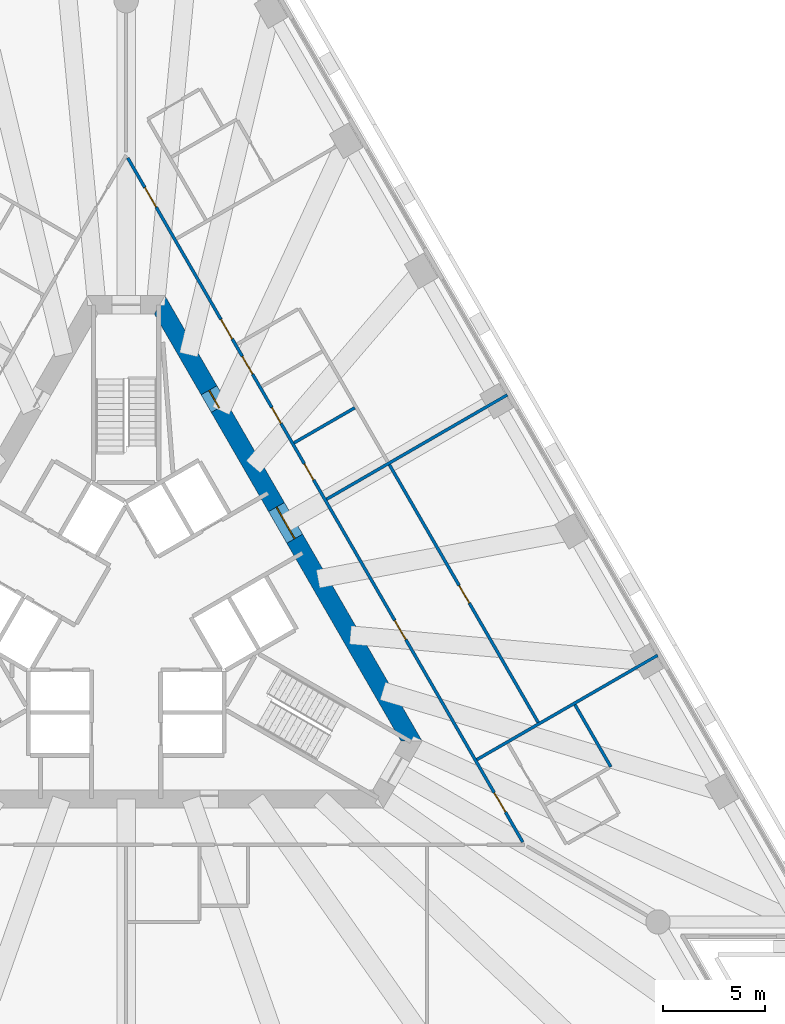
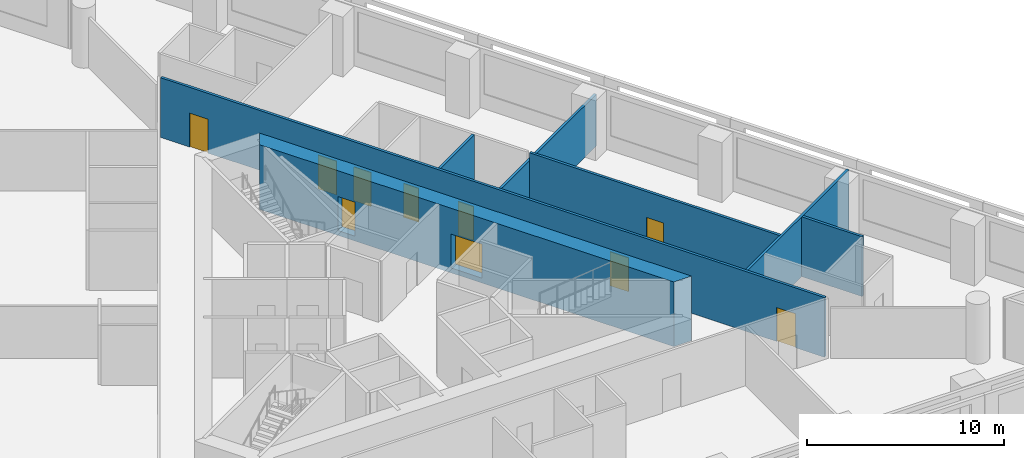
# One storey, part 6 of 11: 10 doors, 7 walls, 10 openings.
"""IFC4 building model written with IfcOpenShell, lengths in metres."""

from ifc_helpers import new_model, si_unit, direction, frame, frame_2d, origin, place, context, subcontext, project, spatial, polyline, rectangle, outline, extrude, material, layer, layer_set, type_object, element, fill, save


model = new_model("IFC4")

# Units and contexts
model_context = context("Model", 3, precision=1e-05, world=origin(), true_north=direction((0.0, 1.0)))
body_context = subcontext(model_context, "Body", "Model", "MODEL_VIEW")
ifc_project = project(units=[si_unit("LENGTHUNIT", "METRE"), si_unit("AREAUNIT", "SQUARE_METRE"), si_unit("VOLUMEUNIT", "CUBIC_METRE"), si_unit("PLANEANGLEUNIT", "RADIAN"), si_unit("MASSUNIT", "GRAM", prefix="KILO")], contexts=[model_context])

# Site, building, storey
site_placement = place(None, origin())
site = spatial("IfcSite", under=ifc_project, at=site_placement, CompositionType="ELEMENT")
building_placement = place(site_placement, origin())
building = spatial("IfcBuilding", under=site, at=building_placement, Name="Triada Interchange Tower", CompositionType="ELEMENT")
storey_placement = place(building_placement, frame((0.0, 0.0, 59.300048828125)))
storey = spatial("IfcBuildingStorey", under=building, at=storey_placement, Name="L12", CompositionType="ELEMENT", Elevation=59.300048828125)

# Wall, openings, doors
ifc_material_1 = material(Name="Concrete C70/85", Category="concrete")
ifc_layer_1 = layer(ifc_material_1, 0.89990234375)
ifc_layer_set_1 = layer_set([ifc_layer_1], Name="Core wall A 900")
wall_type_1 = type_object("IfcWallType", Name="Core wall A 900", PredefinedType="SHEAR", material=ifc_layer_set_1)
wall_1_placement = place(storey_placement, frame((14.030029296875, -6.199951171875, -0.300048828125), z_axis=(0.0, 0.0, 1.0), x_axis=(-0.500026485275, 0.866010111964, 0.0)))
wall_1 = element("IfcWall", 1, at=wall_1_placement, inside=storey, type_object=wall_type_1, Name="Core wall WA06 L12", PredefinedType="SHEAR", context=body_context, shape_type="SweptSolid", body=[
    extrude(outline(polyline([(-0.260009765625, -0.448974609375), (1.685302734375, -0.448974609375), (3.63037109375, -0.44921875), (5.57568359375, -0.44921875), (7.52099609375, -0.44921875), (9.466064453125, -0.449462890625), (11.411376953125, -0.449462890625), (13.356689453125, -0.449462890625), (15.302001953125, -0.449462890625), (17.2470703125, -0.44970703125), (19.1923828125, -0.44970703125), (21.1376953125, -0.44970703125), (23.082763671875, -0.449951171875), (25.028076171875, -0.449951171875), (24.509033203125, 0.448974609375), (22.643798828125, 0.448974609375), (20.7783203125, 0.44921875), (18.9130859375, 0.44921875), (17.0478515625, 0.44921875), (15.182373046875, 0.449462890625), (13.317138671875, 0.449462890625), (11.451904296875, 0.449462890625), (9.586669921875, 0.449462890625), (7.72119140625, 0.44970703125), (5.85595703125, 0.44970703125), (3.99072265625, 0.44970703125), (2.125244140625, 0.449951171875), (0.260009765625, 0.449951171875), (-0.260009765625, -0.448974609375)])), origin(), (0.0, 0.0, 1.0), 4.0),
])
opening_1_placement = place(wall_1_placement, frame((11.48388671875, 0.0, 0.300048828125)))
opening_1 = element("IfcOpeningElement", 2, at=opening_1_placement, cuts=wall_1, Name="Opening D12-40", PredefinedType="OPENING", context=body_context, shape_type="SweptSolid", body=[
    extrude(rectangle(XDim=1.800048828125, YDim=2.10009765625, at=frame_2d((0.89990234375, 1.050048828125))), frame((0.0, 0.4599609375, 0.0), z_axis=(0.0, -1.0, 0.0), x_axis=(1.0, 0.0, 0.0)), (0.0, 0.0, 1.0), 0.919921875),
])
opening_2_placement = place(wall_1_placement, frame((18.9140625, 0.0, 0.300048828125)))
opening_2 = element("IfcOpeningElement", 3, at=opening_2_placement, cuts=wall_1, Name="Opening D12-49", PredefinedType="OPENING", context=body_context, shape_type="SweptSolid", body=[
    extrude(rectangle(XDim=1.0, YDim=2.10009765625, at=frame_2d((0.5, 1.050048828125))), frame((0.0, 0.4599609375, 0.0), z_axis=(0.0, -1.0, 0.0), x_axis=(1.0, 0.0, 0.0)), (0.0, 0.0, 1.0), 0.919921875),
])
ifc_material_2 = material(Name="Steel S235 door leaf", Category="steel")
door_type_1 = type_object("IfcDoorType", Name="LOBBY DOOR 1800 EI2 90-C5S200", OperationType="DOUBLE_DOOR_SINGLE_SWING", PredefinedType="DOOR", material=ifc_material_2)
door_1_placement = place(opening_1_placement, origin())
door_1 = element("IfcDoor", 4, at=door_1_placement, inside=storey, type_object=door_type_1, Name="Door D12-40 L12", OperationType="DOUBLE_DOOR_SINGLE_SWING", OverallHeight=2.10009765625, OverallWidth=1.800048828125, PredefinedType="DOOR", context=body_context, shape_type="SweptSolid", body=[
    extrude(rectangle(XDim=1.800048828125, YDim=2.10009765625, at=frame_2d((0.89990234375, 1.050048828125))), frame((0.0, 0.02490234375, 0.0), z_axis=(0.0, -1.0, 0.0), x_axis=(1.0, 0.0, 0.0)), (0.0, 0.0, 1.0), 0.050048828125),
])
fill(opening_1, door_1)
door_type_2 = type_object("IfcDoorType", Name="SERVICE DOOR 1000 EI2 45-C5S200", OperationType="NOTDEFINED", PredefinedType="DOOR", material=ifc_material_2)
door_2_placement = place(opening_2_placement, origin())
door_2 = element("IfcDoor", 5, at=door_2_placement, inside=storey, type_object=door_type_2, Name="Door D12-49 L12", OperationType="SINGLE_SWING_LEFT", OverallHeight=2.10009765625, OverallWidth=1.0, PredefinedType="DOOR", context=body_context, shape_type="SweptSolid", body=[
    extrude(rectangle(XDim=1.0, YDim=2.10009765625, at=frame_2d((0.5, 1.050048828125))), frame((0.0, 0.02490234375, 0.0), z_axis=(0.0, -1.0, 0.0), x_axis=(1.0, 0.0, 0.0)), (0.0, 0.0, 1.0), 0.050048828125),
])
fill(opening_2, door_2)

# Wall
ifc_material_3 = material(Name="Gypsum board partition")
ifc_layer_2 = layer(ifc_material_3, 0.14990234375)
ifc_layer_set_2 = layer_set([ifc_layer_2], Name="PARTITION 150 EI 180")
wall_type_2 = type_object("IfcWallType", Name="PARTITION 150 EI 180", PredefinedType="PARTITIONING", material=ifc_layer_set_2)
wall_2_placement = place(storey_placement, frame((9.85107421875, 5.68701171875, 0.0), z_axis=(0.0, 0.0, 1.0), x_axis=(0.865968814955, 0.500098001921, 0.0)))
element("IfcWall", 6, at=wall_2_placement, inside=storey, type_object=wall_type_2, Name="Wall L12 2", PredefinedType="PARTITIONING", context=body_context, shape_type="SweptSolid", body=[
    extrude(rectangle(XDim=10.26025390625, YDim=0.14990234375, at=frame_2d((5.130126953125, 0.0))), origin(), (0.0, 0.0, 1.0), 3.199951171875),
])

# Wall, openings, doors
wall_3_placement = place(storey_placement, frame((0.074951171875, 22.469970703125, 0.0), z_axis=(0.0, 0.0, 1.0), x_axis=(0.500002280369, -0.866024087209, 0.0)))
wall_3 = element("IfcWall", 7, at=wall_3_placement, inside=storey, type_object=wall_type_2, Name="Wall L12 22", PredefinedType="PARTITIONING", context=body_context, shape_type="SweptSolid", body=[
    extrude(rectangle(XDim=38.843994140625, YDim=0.14990234375, at=frame_2d((19.421875, 0.0))), origin(), (0.0, 0.0, 1.0), 3.699951171875),
])
opening_3_placement = place(wall_3_placement, frame((36.0439453125, 0.0, 0.0)))
opening_3 = element("IfcOpeningElement", 8, at=opening_3_placement, cuts=wall_3, Name="Opening D12-20", PredefinedType="OPENING", context=body_context, shape_type="SweptSolid", body=[
    extrude(rectangle(XDim=1.10009765625, YDim=2.10009765625, at=frame_2d((0.550048828125, 1.050048828125))), frame((0.0, 0.0849609375, 0.0), z_axis=(0.0, -1.0, 0.0), x_axis=(1.0, 0.0, 0.0)), (0.0, 0.0, 1.0), 0.169921875),
])
opening_4_placement = place(wall_3_placement, frame((26.2548828125, 0.0, 0.0)))
opening_4 = element("IfcOpeningElement", 9, at=opening_4_placement, cuts=wall_3, Name="Opening D12-23", PredefinedType="OPENING", context=body_context, shape_type="SweptSolid", body=[
    extrude(rectangle(XDim=1.10009765625, YDim=2.10009765625, at=frame_2d((0.550048828125, 1.050048828125))), frame((0.0, 0.0849609375, 0.0), z_axis=(0.0, -1.0, 0.0), x_axis=(1.0, 0.0, 0.0)), (0.0, 0.0, 1.0), 0.169921875),
])
opening_5_placement = place(wall_3_placement, frame((9.173095703125, 0.0, 0.0)))
opening_5 = element("IfcOpeningElement", 10, at=opening_5_placement, cuts=wall_3, Name="Opening D12-25", PredefinedType="OPENING", context=body_context, shape_type="SweptSolid", body=[
    extrude(rectangle(XDim=1.10009765625, YDim=2.10009765625, at=frame_2d((0.550048828125, 1.050048828125))), frame((0.0, 0.0849609375, 0.0), z_axis=(0.0, -1.0, 0.0), x_axis=(1.0, 0.0, 0.0)), (0.0, 0.0, 1.0), 0.169921875),
])
opening_6_placement = place(wall_3_placement, frame((17.373046875, 0.0, 0.0)))
opening_6 = element("IfcOpeningElement", 11, at=opening_6_placement, cuts=wall_3, Name="Opening D12-26", PredefinedType="OPENING", context=body_context, shape_type="SweptSolid", body=[
    extrude(rectangle(XDim=0.89990234375, YDim=2.10009765625, at=frame_2d((0.449951171875, 1.050048828125))), frame((0.0, 0.0849609375, 0.0), z_axis=(0.0, -1.0, 0.0), x_axis=(1.0, 0.0, 0.0)), (0.0, 0.0, 1.0), 0.169921875),
])
opening_7_placement = place(wall_3_placement, frame((14.173095703125, 0.0, 0.0)))
opening_7 = element("IfcOpeningElement", 12, at=opening_7_placement, cuts=wall_3, Name="Opening D12-27", PredefinedType="OPENING", context=body_context, shape_type="SweptSolid", body=[
    extrude(rectangle(XDim=0.89990234375, YDim=2.10009765625, at=frame_2d((0.449951171875, 1.050048828125))), frame((0.0, 0.0849609375, 0.0), z_axis=(0.0, -1.0, 0.0), x_axis=(1.0, 0.0, 0.0)), (0.0, 0.0, 1.0), 0.169921875),
])
opening_8_placement = place(wall_3_placement, frame((11.27294921875, 0.0, 0.0)))
opening_8 = element("IfcOpeningElement", 13, at=opening_8_placement, cuts=wall_3, Name="Opening D12-28", PredefinedType="OPENING", context=body_context, shape_type="SweptSolid", body=[
    extrude(rectangle(XDim=1.0, YDim=2.10009765625, at=frame_2d((0.5, 1.050048828125))), frame((0.0, 0.0849609375, 0.0), z_axis=(0.0, -1.0, 0.0), x_axis=(1.0, 0.0, 0.0)), (0.0, 0.0, 1.0), 0.169921875),
])
opening_9_placement = place(wall_3_placement, frame((1.68896484375, 0.0, 0.0)))
opening_9 = element("IfcOpeningElement", 14, at=opening_9_placement, cuts=wall_3, Name="Opening D12-29", PredefinedType="OPENING", context=body_context, shape_type="SweptSolid", body=[
    extrude(rectangle(XDim=1.10009765625, YDim=2.10009765625, at=frame_2d((0.550048828125, 1.050048828125))), frame((0.0, 0.0849609375, 0.0), z_axis=(0.0, -1.0, 0.0), x_axis=(1.0, 0.0, 0.0)), (0.0, 0.0, 1.0), 0.169921875),
])
door_type_3 = type_object("IfcDoorType", Name="ROOM DOOR 1000 EI2 90-C5S200", OperationType="NOTDEFINED", PredefinedType="DOOR", material=ifc_material_2)
door_3_placement = place(opening_8_placement, origin())
door_3 = element("IfcDoor", 15, at=door_3_placement, inside=storey, type_object=door_type_3, Name="Door D12-28 L12", OperationType="SINGLE_SWING_RIGHT", OverallHeight=2.10009765625, OverallWidth=1.0, PredefinedType="DOOR", context=body_context, shape_type="SweptSolid", body=[
    extrude(rectangle(XDim=1.0, YDim=2.10009765625, at=frame_2d((0.5, 1.050048828125))), frame((0.0, 0.02490234375, 0.0), z_axis=(0.0, -1.0, 0.0), x_axis=(1.0, 0.0, 0.0)), (0.0, 0.0, 1.0), 0.050048828125),
])
fill(opening_8, door_3)
door_type_4 = type_object("IfcDoorType", Name="ROOM DOOR 900 EI2 90-C5S200", OperationType="NOTDEFINED", PredefinedType="DOOR", material=ifc_material_2)
door_4_placement = place(opening_6_placement, origin())
door_4 = element("IfcDoor", 16, at=door_4_placement, inside=storey, type_object=door_type_4, Name="Door D12-26 L12", OperationType="SINGLE_SWING_RIGHT", OverallHeight=2.10009765625, OverallWidth=0.89990234375, PredefinedType="DOOR", context=body_context, shape_type="SweptSolid", body=[
    extrude(rectangle(XDim=0.89990234375, YDim=2.10009765625, at=frame_2d((0.449951171875, 1.050048828125))), frame((0.0, 0.02490234375, 0.0), z_axis=(0.0, -1.0, 0.0), x_axis=(1.0, 0.0, 0.0)), (0.0, 0.0, 1.0), 0.050048828125),
])
fill(opening_6, door_4)
door_5_placement = place(opening_7_placement, origin())
door_5 = element("IfcDoor", 17, at=door_5_placement, inside=storey, type_object=door_type_4, Name="Door D12-27 L12", OperationType="SINGLE_SWING_RIGHT", OverallHeight=2.10009765625, OverallWidth=0.89990234375, PredefinedType="DOOR", context=body_context, shape_type="SweptSolid", body=[
    extrude(rectangle(XDim=0.89990234375, YDim=2.10009765625, at=frame_2d((0.449951171875, 1.050048828125))), frame((0.0, 0.02490234375, 0.0), z_axis=(0.0, -1.0, 0.0), x_axis=(1.0, 0.0, 0.0)), (0.0, 0.0, 1.0), 0.050048828125),
])
fill(opening_7, door_5)
door_type_5 = type_object("IfcDoorType", Name="TENANCY ENTRANCE DOOR 1100 EI2 90-C5S200", OperationType="NOTDEFINED", PredefinedType="DOOR", material=ifc_material_2)
door_6_placement = place(opening_3_placement, origin())
door_6 = element("IfcDoor", 18, at=door_6_placement, inside=storey, type_object=door_type_5, Name="Door D12-20 L12", OperationType="SINGLE_SWING_RIGHT", OverallHeight=2.10009765625, OverallWidth=1.10009765625, PredefinedType="DOOR", context=body_context, shape_type="SweptSolid", body=[
    extrude(rectangle(XDim=1.10009765625, YDim=2.10009765625, at=frame_2d((0.550048828125, 1.050048828125))), frame((0.0, 0.02490234375, 0.0), z_axis=(0.0, -1.0, 0.0), x_axis=(1.0, 0.0, 0.0)), (0.0, 0.0, 1.0), 0.050048828125),
])
fill(opening_3, door_6)
door_7_placement = place(opening_4_placement, origin())
door_7 = element("IfcDoor", 19, at=door_7_placement, inside=storey, type_object=door_type_5, Name="Door D12-23 L12", OperationType="SINGLE_SWING_RIGHT", OverallHeight=2.10009765625, OverallWidth=1.10009765625, PredefinedType="DOOR", context=body_context, shape_type="SweptSolid", body=[
    extrude(rectangle(XDim=1.10009765625, YDim=2.10009765625, at=frame_2d((0.550048828125, 1.050048828125))), frame((0.0, 0.02490234375, 0.0), z_axis=(0.0, -1.0, 0.0), x_axis=(1.0, 0.0, 0.0)), (0.0, 0.0, 1.0), 0.050048828125),
])
fill(opening_4, door_7)
door_8_placement = place(opening_5_placement, origin())
door_8 = element("IfcDoor", 20, at=door_8_placement, inside=storey, type_object=door_type_5, Name="Door D12-25 L12", OperationType="SINGLE_SWING_LEFT", OverallHeight=2.10009765625, OverallWidth=1.10009765625, PredefinedType="DOOR", context=body_context, shape_type="SweptSolid", body=[
    extrude(rectangle(XDim=1.10009765625, YDim=2.10009765625, at=frame_2d((0.550048828125, 1.050048828125))), frame((0.0, 0.02490234375, 0.0), z_axis=(0.0, -1.0, 0.0), x_axis=(1.0, 0.0, 0.0)), (0.0, 0.0, 1.0), 0.050048828125),
])
fill(opening_5, door_8)
door_9_placement = place(opening_9_placement, origin())
door_9 = element("IfcDoor", 21, at=door_9_placement, inside=storey, type_object=door_type_5, Name="Door D12-29 L12", OperationType="SINGLE_SWING_LEFT", OverallHeight=2.10009765625, OverallWidth=1.10009765625, PredefinedType="DOOR", context=body_context, shape_type="SweptSolid", body=[
    extrude(rectangle(XDim=1.10009765625, YDim=2.10009765625, at=frame_2d((0.550048828125, 1.050048828125))), frame((0.0, 0.02490234375, 0.0), z_axis=(0.0, -1.0, 0.0), x_axis=(1.0, 0.0, 0.0)), (0.0, 0.0, 1.0), 0.050048828125),
])
fill(opening_9, door_9)

# Walls
wall_4_placement = place(storey_placement, frame((8.2509765625, 8.4580078125, 0.0), z_axis=(0.0, 0.0, 1.0), x_axis=(0.866031223622, 0.49998991961, 0.0)))
element("IfcWall", 22, at=wall_4_placement, inside=storey, type_object=wall_type_2, Name="Wall L12 29", PredefinedType="PARTITIONING", context=body_context, shape_type="SweptSolid", body=[
    extrude(rectangle(XDim=3.4501953125, YDim=0.14990234375, at=frame_2d((1.72509765625, 0.0))), origin(), (0.0, 0.0, 1.0), 3.699951171875),
])
wall_5_placement = place(storey_placement, frame((17.242919921875, -7.114990234375, 0.0), z_axis=(0.0, 0.0, 1.0), x_axis=(0.866020337685, 0.500008774639, 0.0)))
element("IfcWall", 23, at=wall_5_placement, inside=storey, type_object=wall_type_2, Name="Wall L12 31", PredefinedType="PARTITIONING", context=body_context, shape_type="SweptSolid", body=[
    extrude(rectangle(XDim=10.259521484375, YDim=0.14990234375, at=frame_2d((5.1298828125, 0.0))), origin(), (0.0, 0.0, 1.0), 3.699951171875),
])
ifc_layer_3 = layer(ifc_material_3, 0.14990234375)
ifc_layer_set_3 = layer_set([ifc_layer_3], Name="PARTITION 150 EI 90")
wall_type_3 = type_object("IfcWallType", Name="PARTITION 150 EI 90", PredefinedType="PARTITIONING", material=ifc_layer_set_3)
wall_6_placement = place(storey_placement, frame((22.06494140625, -4.4169921875, 0.0), z_axis=(0.0, 0.0, 1.0), x_axis=(0.499856357168, -0.86610832013, 0.0)))
element("IfcWall", 24, at=wall_6_placement, inside=storey, type_object=wall_type_3, Name="Wall L12 43", PredefinedType="PARTITIONING", context=body_context, shape_type="SweptSolid", body=[
    extrude(rectangle(XDim=3.52490234375, YDim=0.14990234375, at=frame_2d((1.762451171875, 0.0))), origin(), (0.0, 0.0, 1.0), 3.699951171875),
])

# Wall, opening, door
wall_7_placement = place(storey_placement, frame((12.94189453125, 7.384033203125, 0.0), z_axis=(0.0, 0.0, 1.0), x_axis=(0.499995423472, -0.866028046028, 0.0)))
wall_7 = element("IfcWall", 25, at=wall_7_placement, inside=storey, type_object=wall_type_3, Name="Wall L12 44", PredefinedType="PARTITIONING", context=body_context, shape_type="SweptSolid", body=[
    extrude(rectangle(XDim=14.632568359375, YDim=0.14990234375, at=frame_2d((7.31640625, 0.0))), origin(), (0.0, 0.0, 1.0), 3.699951171875),
])
opening_10_placement = place(wall_7_placement, frame((6.85693359375, 0.0, 0.0)))
opening_10 = element("IfcOpeningElement", 26, at=opening_10_placement, cuts=wall_7, Name="Opening D12-24", PredefinedType="OPENING", context=body_context, shape_type="SweptSolid", body=[
    extrude(rectangle(XDim=1.0, YDim=2.10009765625, at=frame_2d((0.5, 1.050048828125))), frame((0.0, 0.0849609375, 0.0), z_axis=(0.0, -1.0, 0.0), x_axis=(1.0, 0.0, 0.0)), (0.0, 0.0, 1.0), 0.169921875),
])
door_type_6 = type_object("IfcDoorType", Name="ROOM DOOR 1000 EI2 45-C5S200", OperationType="NOTDEFINED", PredefinedType="DOOR", material=ifc_material_2)
door_10_placement = place(opening_10_placement, origin())
door_10 = element("IfcDoor", 27, at=door_10_placement, inside=storey, type_object=door_type_6, Name="Door D12-24 L12", OperationType="SINGLE_SWING_LEFT", OverallHeight=2.10009765625, OverallWidth=1.0, PredefinedType="DOOR", context=body_context, shape_type="SweptSolid", body=[
    extrude(rectangle(XDim=1.0, YDim=2.10009765625, at=frame_2d((0.5, 1.050048828125))), frame((0.0, 0.02490234375, 0.0), z_axis=(0.0, -1.0, 0.0), x_axis=(1.0, 0.0, 0.0)), (0.0, 0.0, 1.0), 0.050048828125),
])
fill(opening_10, door_10)

save(model, "model.ifc")
